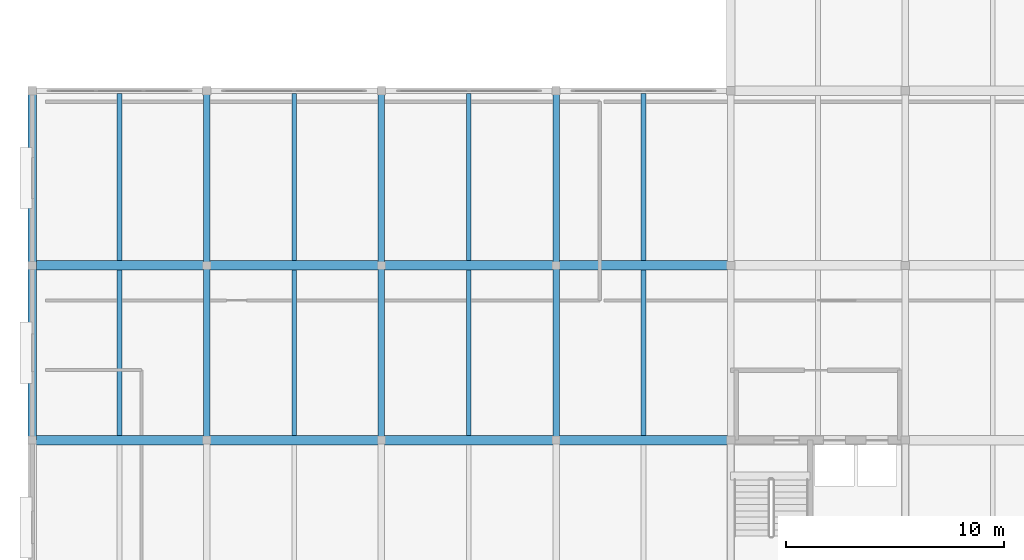
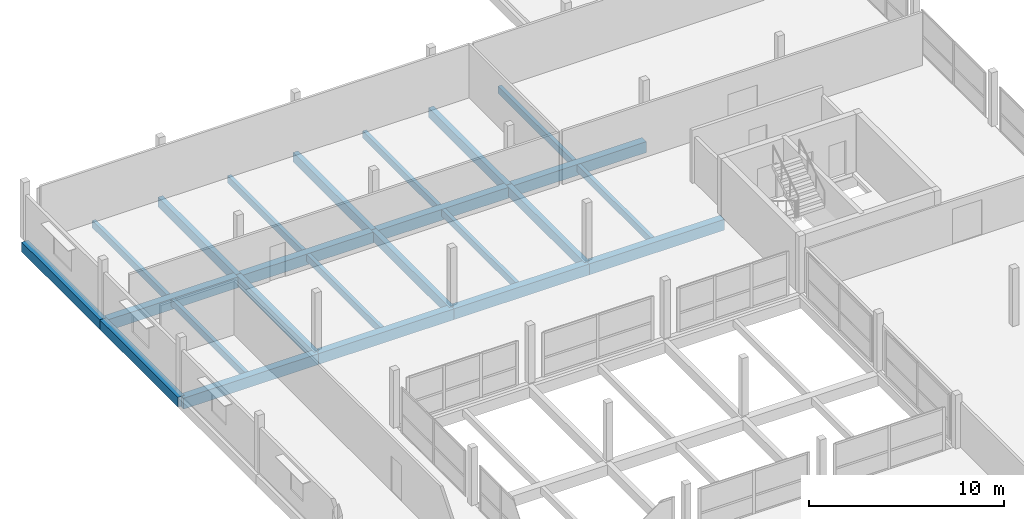
# One storey, part 14 of 34: 24 beams.
"""IFC4 building model written with IfcOpenShell, lengths in metres."""

from ifc_helpers import new_model, si_unit, direction, frame, origin, origin_2d, place, context, subcontext, project, spatial, rectangle, extrude, material, material_profile, profile_set, type_object, element, save


model = new_model("IFC4")

# Units and contexts
model_context = context("Model", 3, precision=1e-05, world=origin(), true_north=direction((0.0, 1.0)))
body_context = subcontext(model_context, "Body", "Model", "MODEL_VIEW")
ifc_project = project(units=[si_unit("LENGTHUNIT", "METRE"), si_unit("AREAUNIT", "SQUARE_METRE"), si_unit("VOLUMEUNIT", "CUBIC_METRE"), si_unit("PLANEANGLEUNIT", "RADIAN"), si_unit("MASSUNIT", "GRAM", prefix="KILO")], contexts=[model_context])

# Site, building, storey
site_placement = place(None, origin())
site = spatial("IfcSite", under=ifc_project, at=site_placement, CompositionType="ELEMENT")
building_placement = place(site_placement, origin())
building = spatial("IfcBuilding", under=site, at=building_placement, Name="Vharandega Faculty of Natural Sciences", CompositionType="ELEMENT")
storey_placement = place(building_placement, frame((0.0, 0.0, 21.60009765625)))
storey = spatial("IfcBuildingStorey", under=building, at=storey_placement, Name="L05", CompositionType="ELEMENT", Elevation=21.60009765625)

# Beams
ifc_material_1 = material(Name="Glulam GL28h", Category="wood")
ifc_material_profile_1 = material_profile(ifc_material_1, rectangle(XDim=0.300048828125, YDim=0.60009765625, at=origin_2d()), Name="GL28h 300x600")
ifc_profile_set_1 = profile_set([ifc_material_profile_1], Name="Glulam GL28h")
beam_type_1 = type_object("IfcBeamType", Name="Glulam Floor Beam 300x600", PredefinedType="BEAM", material=ifc_profile_set_1)
for number, where, z_axis, x_axis, name in (
    (1, (8.0, 48.0, -0.52001953125), (0.0, 1.0, 0.0), (-1.0, 0.0, 0.0), "Beam L05 2/G-H"),
    (2, (8.0, 56.0, -0.52001953125), (0.0, 1.0, 0.0), (-1.0, 0.0, 0.0), "Beam L05 2/H-J"),
    (3, (16.0, 48.0, -0.52001953125), (0.0, 1.0, 0.0), (-1.0, 0.0, 0.0), "Beam L05 3/G-H"),
    (4, (16.0, 56.0, -0.52001953125), (0.0, 1.0, 0.0), (-1.0, 0.0, 0.0), "Beam L05 3/H-J"),
    (5, (24.0, 48.0, -0.52001953125), (0.0, 1.0, 0.0), (-1.0, 0.0, 0.0), "Beam L05 4/G-H"),
    (6, (24.0, 56.0, -0.52001953125), (0.0, 1.0, 0.0), (-1.0, 0.0, 0.0), "Beam L05 4/H-J"),
):
    element("IfcBeam", number, at=place(storey_placement, frame(where, z_axis=z_axis, x_axis=x_axis)), inside=storey, type_object=beam_type_1, Name=name, PredefinedType="BEAM", context=body_context, shape_type="SweptSolid", body=[
        extrude(rectangle(XDim=0.300048828125, YDim=0.60009765625, at=origin_2d()), origin(), (0.0, 0.0, 1.0), 8.0),
    ])
ifc_material_2 = material(Name="Glulam GL32h", Category="wood")
ifc_material_profile_2 = material_profile(ifc_material_2, rectangle(XDim=0.43994140625, YDim=0.679931640625, at=origin_2d()), Name="GL32h 440x680")
ifc_profile_set_2 = profile_set([ifc_material_profile_2], Name="Glulam GL32h")
beam_type_2 = type_object("IfcBeamType", Name="Glulam Girder 440x680", PredefinedType="BEAM", material=ifc_profile_set_2)
for number, where, z_axis, x_axis, name in (
    (7, (0.0, 48.0, -0.56005859375), (1.0, 0.0, 0.0), (0.0, 1.0, 0.0), "Beam L05 G/1-2"),
    (8, (8.0, 48.0, -0.56005859375), (1.0, 0.0, 0.0), (0.0, 1.0, 0.0), "Beam L05 G/2-3"),
    (9, (16.0, 48.0, -0.56005859375), (1.0, 0.0, 0.0), (0.0, 1.0, 0.0), "Beam L05 G/3-4"),
    (10, (24.0, 48.0, -0.56005859375), (1.0, 0.0, 0.0), (0.0, 1.0, 0.0), "Beam L05 G/4-5"),
    (11, (0.0, 56.0, -0.56005859375), (1.0, 0.0, 0.0), (0.0, 1.0, 0.0), "Beam L05 H/1-2"),
    (12, (8.0, 56.0, -0.56005859375), (1.0, 0.0, 0.0), (0.0, 1.0, 0.0), "Beam L05 H/2-3"),
    (13, (16.0, 56.0, -0.56005859375), (1.0, 0.0, 0.0), (0.0, 1.0, 0.0), "Beam L05 H/3-4"),
    (14, (24.0, 56.0, -0.56005859375), (1.0, 0.0, 0.0), (0.0, 1.0, 0.0), "Beam L05 H/4-5"),
):
    element("IfcBeam", number, at=place(storey_placement, frame(where, z_axis=z_axis, x_axis=x_axis)), inside=storey, type_object=beam_type_2, Name=name, PredefinedType="BEAM", context=body_context, shape_type="SweptSolid", body=[
        extrude(rectangle(XDim=0.43994140625, YDim=0.679931640625, at=origin_2d()), origin(), (0.0, 0.0, 1.0), 8.0),
    ])
ifc_material_3 = material(Name="Glulam GL28h", Category="wood")
ifc_material_profile_3 = material_profile(ifc_material_3, rectangle(XDim=0.219970703125, YDim=0.43994140625, at=origin_2d()), Name="GL28h 220x440")
ifc_profile_set_3 = profile_set([ifc_material_profile_3], Name="Glulam GL28h")
beam_type_3 = type_object("IfcBeamType", Name="Glulam Secondary Joist 220x440", PredefinedType="JOIST", material=ifc_profile_set_3)
beam_1_placement = place(storey_placement, frame((4.0, 48.219970703125, -0.440185546875), z_axis=(0.0, 1.0, 0.0), x_axis=(-1.0, 0.0, 0.0)))
element("IfcBeam", 15, at=beam_1_placement, inside=storey, type_object=beam_type_3, Name="Secondary Joist L05 1-2/G-H", PredefinedType="JOIST", context=body_context, shape_type="SweptSolid", body=[
    extrude(rectangle(XDim=0.219970703125, YDim=0.43994140625, at=origin_2d()), origin(), (0.0, 0.0, 1.0), 7.56005859375),
])
beam_2_placement = place(storey_placement, frame((4.0, 56.219970703125, -0.440185546875), z_axis=(0.0, 1.0, 0.0), x_axis=(-1.0, 0.0, 0.0)))
element("IfcBeam", 16, at=beam_2_placement, inside=storey, type_object=beam_type_3, Name="Secondary Joist L05 1-2/H-J", PredefinedType="JOIST", context=body_context, shape_type="SweptSolid", body=[
    extrude(rectangle(XDim=0.219970703125, YDim=0.43994140625, at=origin_2d()), origin(), (0.0, 0.0, 1.0), 7.659912109375),
])
beam_3_placement = place(storey_placement, frame((12.0, 48.219970703125, -0.440185546875), z_axis=(0.0, 1.0, 0.0), x_axis=(-1.0, 0.0, 0.0)))
element("IfcBeam", 17, at=beam_3_placement, inside=storey, type_object=beam_type_3, Name="Secondary Joist L05 2-3/G-H", PredefinedType="JOIST", context=body_context, shape_type="SweptSolid", body=[
    extrude(rectangle(XDim=0.219970703125, YDim=0.43994140625, at=origin_2d()), origin(), (0.0, 0.0, 1.0), 7.56005859375),
])
beam_4_placement = place(storey_placement, frame((12.0, 56.219970703125, -0.440185546875), z_axis=(0.0, 1.0, 0.0), x_axis=(-1.0, 0.0, 0.0)))
element("IfcBeam", 18, at=beam_4_placement, inside=storey, type_object=beam_type_3, Name="Secondary Joist L05 2-3/H-J", PredefinedType="JOIST", context=body_context, shape_type="SweptSolid", body=[
    extrude(rectangle(XDim=0.219970703125, YDim=0.43994140625, at=origin_2d()), origin(), (0.0, 0.0, 1.0), 7.659912109375),
])
beam_5_placement = place(storey_placement, frame((20.0, 48.219970703125, -0.440185546875), z_axis=(0.0, 1.0, 0.0), x_axis=(-1.0, 0.0, 0.0)))
element("IfcBeam", 19, at=beam_5_placement, inside=storey, type_object=beam_type_3, Name="Secondary Joist L05 3-4/G-H", PredefinedType="JOIST", context=body_context, shape_type="SweptSolid", body=[
    extrude(rectangle(XDim=0.219970703125, YDim=0.43994140625, at=origin_2d()), origin(), (0.0, 0.0, 1.0), 7.56005859375),
])
beam_6_placement = place(storey_placement, frame((20.0, 56.219970703125, -0.440185546875), z_axis=(0.0, 1.0, 0.0), x_axis=(-1.0, 0.0, 0.0)))
element("IfcBeam", 20, at=beam_6_placement, inside=storey, type_object=beam_type_3, Name="Secondary Joist L05 3-4/H-J", PredefinedType="JOIST", context=body_context, shape_type="SweptSolid", body=[
    extrude(rectangle(XDim=0.219970703125, YDim=0.43994140625, at=origin_2d()), origin(), (0.0, 0.0, 1.0), 7.659912109375),
])
beam_7_placement = place(storey_placement, frame((28.0, 48.219970703125, -0.440185546875), z_axis=(0.0, 1.0, 0.0), x_axis=(-1.0, 0.0, 0.0)))
element("IfcBeam", 21, at=beam_7_placement, inside=storey, type_object=beam_type_3, Name="Secondary Joist L05 4-5/G-H", PredefinedType="JOIST", context=body_context, shape_type="SweptSolid", body=[
    extrude(rectangle(XDim=0.219970703125, YDim=0.43994140625, at=origin_2d()), origin(), (0.0, 0.0, 1.0), 7.56005859375),
])
beam_8_placement = place(storey_placement, frame((28.0, 56.219970703125, -0.440185546875), z_axis=(0.0, 1.0, 0.0), x_axis=(-1.0, 0.0, 0.0)))
element("IfcBeam", 22, at=beam_8_placement, inside=storey, type_object=beam_type_3, Name="Secondary Joist L05 4-5/H-J", PredefinedType="JOIST", context=body_context, shape_type="SweptSolid", body=[
    extrude(rectangle(XDim=0.219970703125, YDim=0.43994140625, at=origin_2d()), origin(), (0.0, 0.0, 1.0), 7.659912109375),
])
ifc_material_4 = material(Name="Glulam GL32h", Category="wood")
ifc_material_profile_4 = material_profile(ifc_material_4, rectangle(XDim=0.39990234375, YDim=0.60009765625, at=origin_2d()), Name="GL32h 400x600")
ifc_profile_set_4 = profile_set([ifc_material_profile_4], Name="Glulam GL32h")
beam_type_4 = type_object("IfcBeamType", Name="Glulam Spine Girder 400x600", PredefinedType="BEAM", material=ifc_profile_set_4)
for number, where, z_axis, x_axis, name in (
    (23, (0.0, 48.0, -0.52001953125), (0.0, 1.0, 0.0), (-1.0, 0.0, 0.0), "Beam L05 1/G-H"),
    (24, (0.0, 56.0, -0.52001953125), (0.0, 1.0, 0.0), (-1.0, 0.0, 0.0), "Beam L05 1/H-J"),
):
    element("IfcBeam", number, at=place(storey_placement, frame(where, z_axis=z_axis, x_axis=x_axis)), inside=storey, type_object=beam_type_4, Name=name, PredefinedType="BEAM", context=body_context, shape_type="SweptSolid", body=[
        extrude(rectangle(XDim=0.39990234375, YDim=0.60009765625, at=origin_2d()), origin(), (0.0, 0.0, 1.0), 8.0),
    ])

save(model, "model.ifc")
